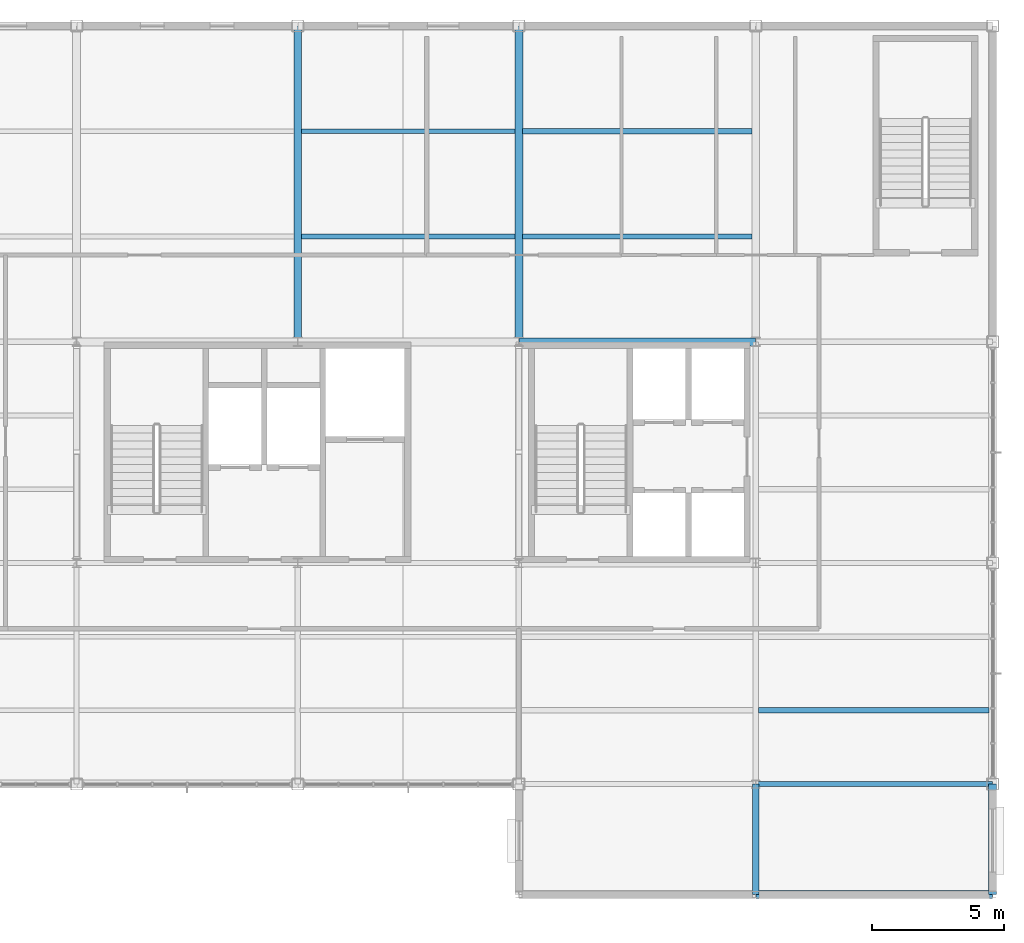
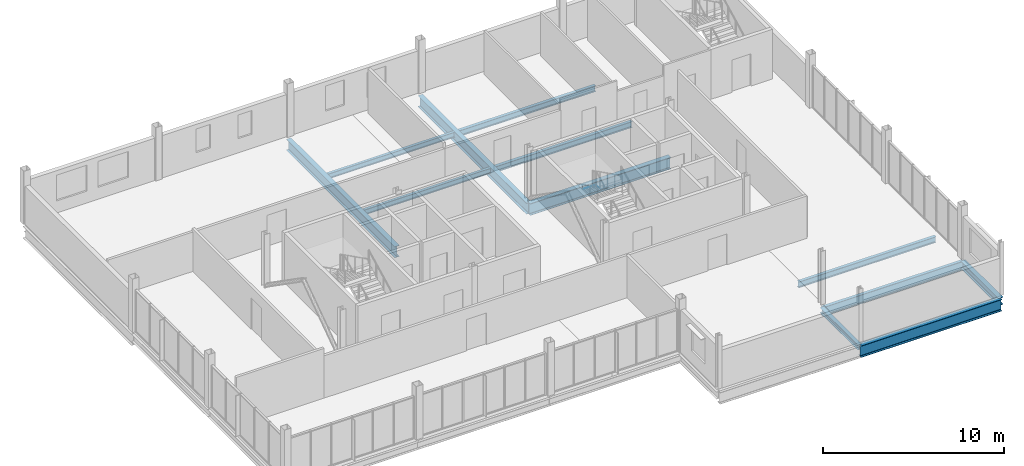
# One storey, part 7 of 16: 12 beams.
"""IFC4 building model written with IfcOpenShell, lengths in metres."""

from ifc_helpers import new_model, si_unit, direction, frame, origin, origin_2d, place, context, subcontext, project, spatial, i_section, extrude, material, material_profile, profile_set, type_object, element, save


model = new_model("IFC4")

# Units and contexts
model_context = context("Model", 3, precision=1e-05, world=origin(), true_north=direction((0.0, 1.0)))
body_context = subcontext(model_context, "Body", "Model", "MODEL_VIEW")
ifc_project = project(units=[si_unit("LENGTHUNIT", "METRE"), si_unit("AREAUNIT", "SQUARE_METRE"), si_unit("VOLUMEUNIT", "CUBIC_METRE"), si_unit("PLANEANGLEUNIT", "RADIAN"), si_unit("MASSUNIT", "GRAM", prefix="KILO")], contexts=[model_context])

# Site, building, storey
site_placement = place(None, origin())
site = spatial("IfcSite", under=ifc_project, at=site_placement, CompositionType="ELEMENT")
building_placement = place(site_placement, origin())
building = spatial("IfcBuilding", under=site, at=building_placement, Name="Yukiwa Park Conservatory and Herbarium", CompositionType="ELEMENT")
storey_placement = place(building_placement, frame((0.0, 0.0, 43.199951171875)))
storey = spatial("IfcBuildingStorey", under=building, at=storey_placement, Name="L11", CompositionType="ELEMENT", Elevation=43.199951171875)

# Beams
ifc_material_1 = material(Name="Steel Q355D", Category="steel")
ifc_material_profile_1 = material_profile(ifc_material_1, i_section(OverallWidth=0.25, OverallDepth=0.340087890625, WebThickness=0.009033203125, FlangeThickness=0.013916015625, FilletRadius=0.02001953125, at=origin_2d()), Name="HM 340x250x9x14")
ifc_profile_set_1 = profile_set([ifc_material_profile_1], Name="Steel Q355D")
beam_type_1 = type_object("IfcBeamType", Name="BM-GRD-HM340", PredefinedType="BEAM", material=ifc_profile_set_1)
beam_1_placement = place(storey_placement, frame((159.0, 82.2060546875, -0.427978515625), z_axis=(0.0, 1.0, 0.0), x_axis=(-1.0, 0.0, 0.0)))
element("IfcBeam", 1, at=beam_1_placement, inside=storey, type_object=beam_type_1, Name="L11 grid girder Y-35", PredefinedType="BEAM", context=body_context, shape_type="SweptSolid", body=[
    extrude(i_section(OverallWidth=0.25, OverallDepth=0.340087890625, WebThickness=0.009033203125, FlangeThickness=0.013916015625, FilletRadius=0.02001953125, at=origin_2d()), origin(), (0.0, 0.0, 1.0), 4.18798828125),
])
ifc_material_2 = material(Name="Steel Q355D", Category="steel")
ifc_material_profile_2 = material_profile(ifc_material_2, i_section(OverallWidth=0.198974609375, OverallDepth=0.595947265625, WebThickness=0.010009765625, FlangeThickness=0.014892578125, FilletRadius=0.02197265625, at=origin_2d()), Name="HN 596x199x10x15")
ifc_profile_set_2 = profile_set([ifc_material_profile_2], Name="Steel Q355D")
beam_type_2 = type_object("IfcBeamType", Name="BM-GRD-HN596", PredefinedType="BEAM", material=ifc_profile_set_2)
beam_2_placement = place(storey_placement, frame((159.006103515625, 86.39990234375, -0.555908203125), z_axis=(1.0, 0.0, 0.0), x_axis=(0.0, 1.0, 0.0)))
element("IfcBeam", 2, at=beam_2_placement, inside=storey, type_object=beam_type_2, Name="L11 grid beam X-7", PredefinedType="BEAM", context=body_context, shape_type="SweptSolid", body=[
    extrude(i_section(OverallWidth=0.198974609375, OverallDepth=0.595947265625, WebThickness=0.010009765625, FlangeThickness=0.014892578125, FilletRadius=0.02197265625, at=origin_2d()), origin(), (0.0, 0.0, 1.0), 8.98779296875),
])
ifc_material_3 = material(Name="Steel Q355D", Category="steel")
ifc_material_profile_3 = material_profile(ifc_material_3, i_section(OverallWidth=0.300048828125, OverallDepth=0.75, WebThickness=0.012939453125, FlangeThickness=0.02392578125, FilletRadius=0.028076171875, at=origin_2d()), Name="HN 750x300x13x24")
ifc_profile_set_3 = profile_set([ifc_material_profile_3], Name="Steel Q355D")
beam_type_3 = type_object("IfcBeamType", Name="BM-GRD-HN750", PredefinedType="BEAM", material=ifc_profile_set_3)
for number, where, z_axis, x_axis, name in (
    (3, (141.60009765625, 103.2060546875, -0.633056640625), (0.0, 1.0, 0.0), (-1.0, 0.0, 0.0), "L11 grid girder Y-30"),
    (4, (150.0, 103.2060546875, -0.633056640625), (0.0, 1.0, 0.0), (-1.0, 0.0, 0.0), "L11 grid girder Y-34"),
):
    element("IfcBeam", number, at=place(storey_placement, frame(where, z_axis=z_axis, x_axis=x_axis)), inside=storey, type_object=beam_type_3, Name=name, PredefinedType="BEAM", context=body_context, shape_type="SweptSolid", body=[
        extrude(i_section(OverallWidth=0.300048828125, OverallDepth=0.75, WebThickness=0.012939453125, FlangeThickness=0.02392578125, FilletRadius=0.028076171875, at=origin_2d()), origin(), (0.0, 0.0, 1.0), 11.988037109375),
    ])
ifc_material_4 = material(Name="Steel Q355D", Category="steel")
ifc_material_profile_4 = material_profile(ifc_material_4, i_section(OverallWidth=0.175048828125, OverallDepth=0.35009765625, WebThickness=0.007080078125, FlangeThickness=0.010986328125, FilletRadius=0.013916015625, at=origin_2d()), Name="HN 350x175x7x11")
ifc_profile_set_4 = profile_set([ifc_material_profile_4], Name="Steel Q355D")
beam_type_4 = type_object("IfcBeamType", Name="BM-JST-HN350", PredefinedType="JOIST", material=ifc_profile_set_4)
for number, where, z_axis, x_axis, name in (
    (5, (141.74609375, 107.199951171875, -0.432861328125), (1.0, 0.0, 0.0), (0.0, 1.0, 0.0), "L11 composite floor joist 13"),
    (6, (141.74609375, 111.199951171875, -0.432861328125), (1.0, 0.0, 0.0), (0.0, 1.0, 0.0), "L11 composite floor joist 14"),
):
    element("IfcBeam", number, at=place(storey_placement, frame(where, z_axis=z_axis, x_axis=x_axis)), inside=storey, type_object=beam_type_4, Name=name, PredefinedType="JOIST", context=body_context, shape_type="SweptSolid", body=[
        extrude(i_section(OverallWidth=0.175048828125, OverallDepth=0.35009765625, WebThickness=0.007080078125, FlangeThickness=0.010986328125, FilletRadius=0.013916015625, at=origin_2d()), origin(), (0.0, 0.0, 1.0), 8.10791015625),
    ])
ifc_material_5 = material(Name="Steel Q355D", Category="steel")
ifc_material_profile_5 = material_profile(ifc_material_5, i_section(OverallWidth=0.199951171875, OverallDepth=0.39990234375, WebThickness=0.008056640625, FlangeThickness=0.012939453125, FilletRadius=0.01611328125, at=origin_2d()), Name="HN 400x200x8x13")
ifc_profile_set_5 = profile_set([ifc_material_profile_5], Name="Steel Q355D")
beam_type_5 = type_object("IfcBeamType", Name="BM-JST-HN400", PredefinedType="JOIST", material=ifc_profile_set_5)
for number, where, z_axis, x_axis, name in (
    (7, (150.14599609375, 107.199951171875, -0.4580078125), (1.0, 0.0, 0.0), (0.0, 1.0, 0.0), "L11 composite floor joist 17"),
    (8, (150.14599609375, 111.199951171875, -0.4580078125), (1.0, 0.0, 0.0), (0.0, 1.0, 0.0), "L11 composite floor joist 18"),
):
    element("IfcBeam", number, at=place(storey_placement, frame(where, z_axis=z_axis, x_axis=x_axis)), inside=storey, type_object=beam_type_5, Name=name, PredefinedType="JOIST", context=body_context, shape_type="SweptSolid", body=[
        extrude(i_section(OverallWidth=0.199951171875, OverallDepth=0.39990234375, WebThickness=0.008056640625, FlangeThickness=0.012939453125, FilletRadius=0.01611328125, at=origin_2d()), origin(), (0.0, 0.0, 1.0), 8.7080078125),
    ])
beam_3_placement = place(storey_placement, frame((159.095947265625, 89.199951171875, -0.4580078125), z_axis=(1.0, 0.0, 0.0), x_axis=(0.0, 1.0, 0.0)))
element("IfcBeam", 9, at=beam_3_placement, inside=storey, type_object=beam_type_5, Name="L11 composite floor joist 19", PredefinedType="JOIST", context=body_context, shape_type="SweptSolid", body=[
    extrude(i_section(OverallWidth=0.199951171875, OverallDepth=0.39990234375, WebThickness=0.008056640625, FlangeThickness=0.012939453125, FilletRadius=0.01611328125, at=origin_2d()), origin(), (0.0, 0.0, 1.0), 8.758056640625),
])
ifc_material_6 = material(Name="Steel Q355D", Category="steel")
ifc_material_profile_6 = material_profile(ifc_material_6, i_section(OverallWidth=0.300048828125, OverallDepth=0.493896484375, WebThickness=0.010986328125, FlangeThickness=0.014892578125, FilletRadius=0.02392578125, at=origin_2d()), Name="HM 494x300x11x15")
ifc_profile_set_6 = profile_set([ifc_material_profile_6], Name="Steel Q355D")
beam_type_6 = type_object("IfcBeamType", Name="BM-SPN-HN450", PredefinedType="SPANDREL", material=ifc_profile_set_6)
beam_4_placement = place(storey_placement, frame((168.0, 82.2060546875, -0.5048828125), z_axis=(0.0, 1.0, 0.0), x_axis=(-1.0, 0.0, 0.0)))
element("IfcBeam", 10, at=beam_4_placement, inside=storey, type_object=beam_type_6, Name="L11 spandrel girder Y-39", PredefinedType="SPANDREL", context=body_context, shape_type="SweptSolid", body=[
    extrude(i_section(OverallWidth=0.300048828125, OverallDepth=0.493896484375, WebThickness=0.010986328125, FlangeThickness=0.014892578125, FilletRadius=0.02392578125, at=origin_2d()), origin(), (0.0, 0.0, 1.0), 4.18798828125),
])
ifc_material_7 = material(Name="Steel Q355D", Category="steel")
ifc_material_profile_7 = material_profile(ifc_material_7, i_section(OverallWidth=0.300048828125, OverallDepth=0.7919921875, WebThickness=0.013916015625, FlangeThickness=0.02197265625, FilletRadius=0.028076171875, at=origin_2d()), Name="HN 792x300x14x22")
ifc_profile_set_7 = profile_set([ifc_material_profile_7], Name="Steel Q355D")
beam_type_7 = type_object("IfcBeamType", Name="BM-SPN-HN600", PredefinedType="SPANDREL", material=ifc_profile_set_7)
for number, where, z_axis, x_axis, name in (
    (11, (159.006103515625, 82.199951171875, -0.654052734375), (1.0, 0.0, 0.0), (0.0, 1.0, 0.0), "L11 spandrel beam X-2"),
    (12, (150.006103515625, 103.199951171875, -0.654052734375), (1.0, 0.0, 0.0), (0.0, 1.0, 0.0), "L11 spandrel beam X-16"),
):
    element("IfcBeam", number, at=place(storey_placement, frame(where, z_axis=z_axis, x_axis=x_axis)), inside=storey, type_object=beam_type_7, Name=name, PredefinedType="SPANDREL", context=body_context, shape_type="SweptSolid", body=[
        extrude(i_section(OverallWidth=0.300048828125, OverallDepth=0.7919921875, WebThickness=0.013916015625, FlangeThickness=0.02197265625, FilletRadius=0.028076171875, at=origin_2d()), origin(), (0.0, 0.0, 1.0), 8.98779296875),
    ])

save(model, "model.ifc")
